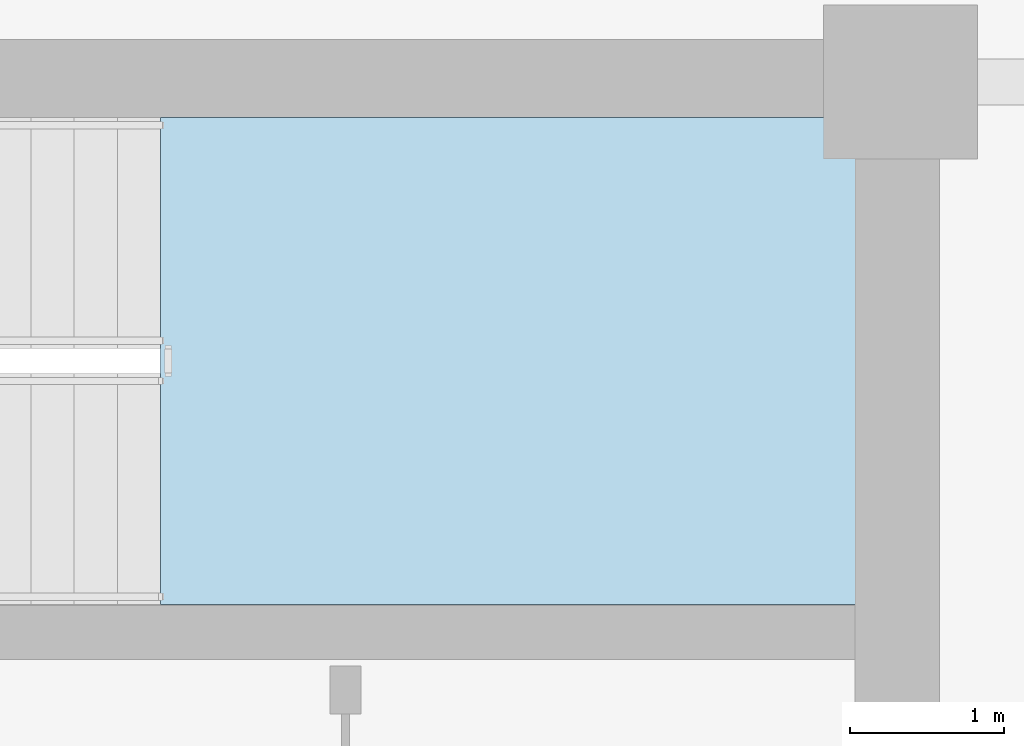
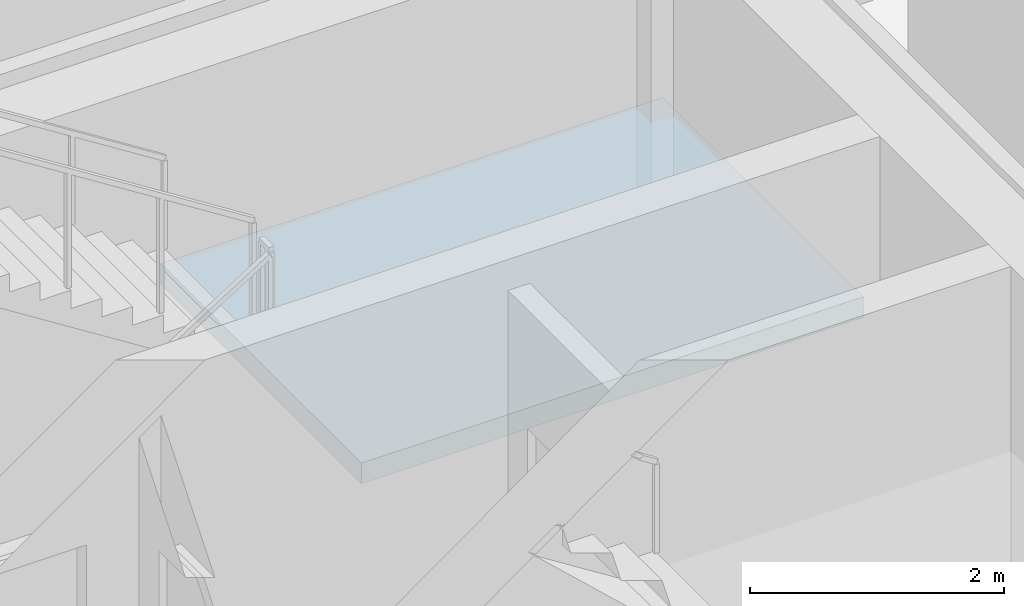
# One storey, part 4 of 13: 1 slab, 1 element without a shape of its own.
"""IFC4 building model written with IfcOpenShell, lengths in metres."""

from ifc_helpers import new_model, si_unit, direction, frame, origin, place, context, subcontext, project, spatial, polyline, outline, extrude, material, layer, layer_set, type_object, element, aggregate, save


model = new_model("IFC4")

# Units and contexts
model_context = context("Model", 3, precision=1e-05, world=origin(), true_north=direction((0.0, 1.0)))
body_context = subcontext(model_context, "Body", "Model", "MODEL_VIEW")
ifc_project = project(units=[si_unit("LENGTHUNIT", "METRE"), si_unit("AREAUNIT", "SQUARE_METRE"), si_unit("VOLUMEUNIT", "CUBIC_METRE"), si_unit("PLANEANGLEUNIT", "RADIAN"), si_unit("MASSUNIT", "GRAM", prefix="KILO")], contexts=[model_context])

# Site, building, storey
site_placement = place(None, origin())
site = spatial("IfcSite", under=ifc_project, at=site_placement, CompositionType="ELEMENT")
building_placement = place(site_placement, origin())
building = spatial("IfcBuilding", under=site, at=building_placement, Name="Zarnavel Station Tower", CompositionType="ELEMENT")
storey_placement = place(building_placement, frame((0.0, 0.0, 180.300048828125)))
storey = spatial("IfcBuildingStorey", under=building, at=storey_placement, Name="L49", CompositionType="ELEMENT", Elevation=180.300048828125)

# Stair, slab
ifc_material_1 = material(Name="Concrete C45/55", Category="concrete")
stair_type = type_object("IfcStairType", Name="ST_CORE_150", PredefinedType="HALF_TURN_STAIR", material=ifc_material_1)
stair_placement = place(storey_placement, origin())
stair = element("IfcStair", 1, at=stair_placement, inside=storey, type_object=stair_type, Name="L49 Core Exit Stair ST2", PredefinedType="HALF_TURN_STAIR")
ifc_material_2 = material(Name="Concrete C45/55", Category="concrete")
ifc_layer = layer(ifc_material_2, 0.199951171875)
ifc_layer_set = layer_set([ifc_layer], Name="SL_STAIR_LAND_200")
slab_type = type_object("IfcSlabType", Name="SL_STAIR_LAND_200", PredefinedType="LANDING", material=ifc_layer_set)
slab_placement = place(storey_placement, frame((0.0, 0.0, 1.574951171875)))
slab = element("IfcSlab", 2, at=slab_placement, type_object=slab_type, Name="ST2 landing 1", PredefinedType="LANDING", context=body_context, shape_type="SweptSolid", body=[
    extrude(outline(polyline([(40.60009765625, 33.659912109375), (45.159912109375, 33.659912109375), (45.159912109375, 36.820068359375), (40.60009765625, 36.820068359375), (40.60009765625, 33.659912109375)])), origin(), (0.0, 0.0, 1.0), 0.199951171875),
])
aggregate(stair, [slab])

save(model, "model.ifc")
